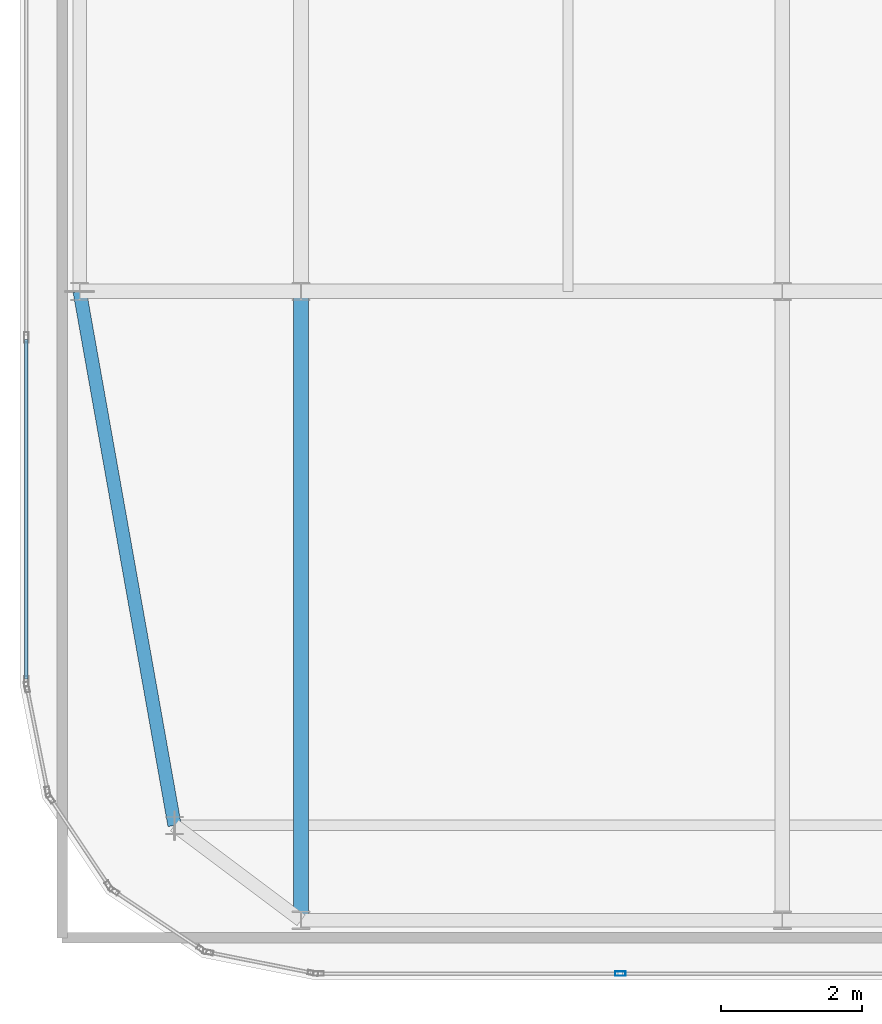
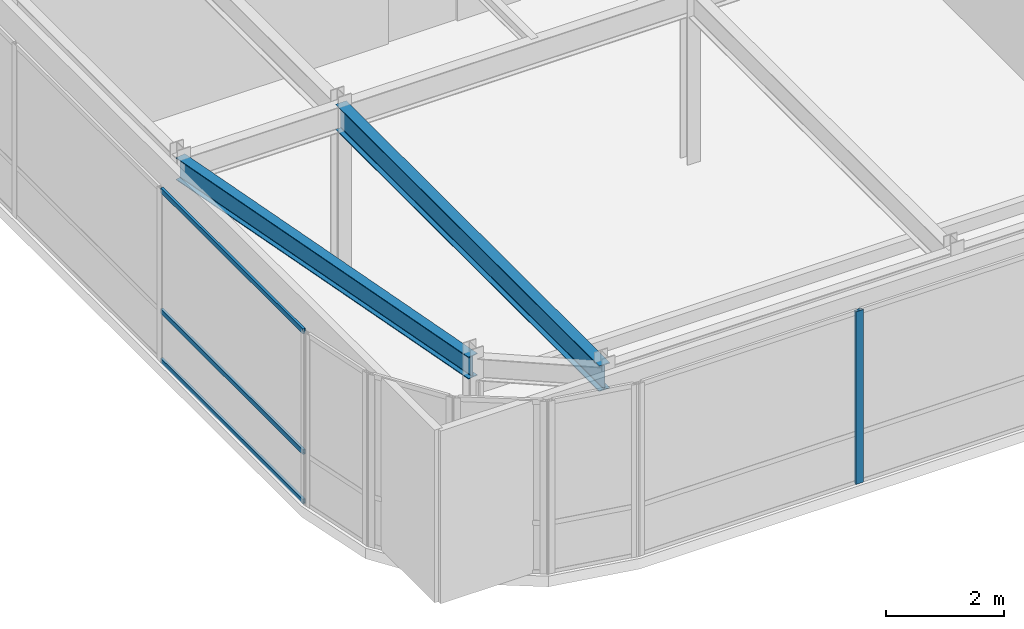
# One storey, part 6 of 36: 4 members, 2 beams, 2 elements without a shape of their own.
"""IFC4 building model written with IfcOpenShell, lengths in metres."""

from ifc_helpers import new_model, si_unit, direction, frame, origin, origin_2d, place, context, subcontext, project, spatial, hollow_rectangle, i_section, extrude, source, transform, mapped, material, layer, layer_set, material_profile, profile_set, type_object, type_shapes, element, aggregate, save


model = new_model("IFC4")

# Units and contexts
model_context = context("Model", 3, precision=1e-05, world=origin(), true_north=direction((0.0, 1.0)))
body_context = subcontext(model_context, "Body", "Model", "MODEL_VIEW")
ifc_project = project(units=[si_unit("LENGTHUNIT", "METRE"), si_unit("AREAUNIT", "SQUARE_METRE"), si_unit("VOLUMEUNIT", "CUBIC_METRE"), si_unit("PLANEANGLEUNIT", "RADIAN"), si_unit("MASSUNIT", "GRAM", prefix="KILO")], contexts=[model_context])

# Site, building, storey
site_placement = place(None, origin())
site = spatial("IfcSite", under=ifc_project, at=site_placement, CompositionType="ELEMENT")
building_placement = place(site_placement, origin())
building = spatial("IfcBuilding", under=site, at=building_placement, Name="Tolvann Quenvar Hotel", CompositionType="ELEMENT")
storey_placement = place(building_placement, frame((0.0, 0.0, 298.550048828125)))
storey = spatial("IfcBuildingStorey", under=building, at=storey_placement, Name="L79", CompositionType="ELEMENT", Elevation=298.550048828125)

# Beams
ifc_material_1 = material(Name="Steel Grade 350", Category="steel")
ifc_material_profile_1 = material_profile(ifc_material_1, i_section(OverallWidth=0.19091796875, OverallDepth=0.4599609375, WebThickness=0.010009765625, FlangeThickness=0.01611328125, FilletRadius=0.011474609375, at=origin_2d()), Name="460UB82")
ifc_profile_set_1 = profile_set([ifc_material_profile_1], Name="Steel Grade 350")
beam_type_1 = type_object("IfcBeamType", Name="BM_SPAND_460UB82", PredefinedType="SPANDREL", material=ifc_profile_set_1)
shared_shape_1 = source(origin(), body_context, "Body", "SweptSolid", [
    extrude(i_section(OverallWidth=0.19091796875, OverallDepth=0.4599609375, WebThickness=0.010009765625, FlangeThickness=0.01611328125, FilletRadius=0.011474609375, at=origin_2d()), origin(), (0.0, 0.0, 1.0), 7.718994140625),
])
type_shapes(beam_type_1, [shared_shape_1])
beam_1_placement = place(storey_placement, frame((5.800048828125, 8.39990234375, 3.349853515625), z_axis=(-0.174903883222, 0.984585512606, 0.0), x_axis=(-0.984585512606, -0.174903883222, 0.0)))
element("IfcBeam", 1, at=beam_1_placement, inside=storey, type_object=beam_type_1, Name="BM-L79-NS-B2-B4", PredefinedType="SPANDREL", context=body_context, shape_type="MappedRepresentation", body=[
    mapped(shared_shape_1, transform((0.0, 0.0, 0.0), x_axis=(1.0, 0.0, 0.0), y_axis=(0.0, 1.0, 0.0), z_axis=(0.0, 0.0, 1.0), scale=1.0)),
])
ifc_material_profile_2 = material_profile(ifc_material_1, i_section(OverallWidth=0.208984375, OverallDepth=0.532958984375, WebThickness=0.01025390625, FlangeThickness=0.015625, FilletRadius=0.013916015625, at=origin_2d()), Name="530UB92")
ifc_profile_set_2 = profile_set([ifc_material_profile_2], Name="Steel Grade 350")
beam_type_2 = type_object("IfcBeamType", Name="BM_GIRD_530UB92", PredefinedType="BEAM", material=ifc_profile_set_2)
shared_shape_2 = source(origin(), body_context, "Body", "SweptSolid", [
    extrude(i_section(OverallWidth=0.208984375, OverallDepth=0.532958984375, WebThickness=0.01025390625, FlangeThickness=0.015625, FilletRadius=0.013916015625, at=origin_2d()), origin(), (0.0, 0.0, 1.0), 8.949951171875),
])
type_shapes(beam_type_2, [shared_shape_2])
beam_2_placement = place(storey_placement, frame((7.60009765625, 7.050048828125, 3.3134765625), z_axis=(0.0, 1.0, 0.0), x_axis=(-1.0, 0.0, 0.0)))
element("IfcBeam", 2, at=beam_2_placement, inside=storey, type_object=beam_type_2, Name="BM-L79-NS-C2-C4", PredefinedType="BEAM", context=body_context, shape_type="MappedRepresentation", body=[
    mapped(shared_shape_2, transform((0.0, 0.0, 0.0), x_axis=(1.0, 0.0, 0.0), y_axis=(0.0, 1.0, 0.0), z_axis=(0.0, 0.0, 1.0), scale=1.0)),
])

# Curtain wall, members
ifc_material_2 = material(Name="Thermally broken anodised architectural aluminium 6063-T6 and laminated low-E glass", Category="aluminium")
ifc_layer = layer(ifc_material_2, 0.179931640625)
ifc_layer_set = layer_set([ifc_layer], Name="Thermally broken anodised architectural aluminium 6063-T6 and laminated low-E glass")
curtain_wall_type = type_object("IfcCurtainWallType", Name="CW_SYS_LANT_06", PredefinedType="USERDEFINED", material=ifc_layer_set)
curtain_wall_1_placement = place(storey_placement, origin())
curtain_wall_1 = element("IfcCurtainWall", 3, at=curtain_wall_1_placement, inside=storey, type_object=curtain_wall_type, Name="Curtain Wall CW-LANT-06 (CWR-L79-E19)", ObjectType="UNITISED CURTAIN WALL", PredefinedType="USERDEFINED")
ifc_material_3 = material(Name="Anodised architectural aluminium 6063-T6 framing", Category="aluminium")
ifc_material_profile_3 = material_profile(ifc_material_3, hollow_rectangle(XDim=0.050048828125, YDim=0.10009765625, WallThickness=0.0029296875, at=origin_2d()), Name="100x50x3RHS")
ifc_profile_set_3 = profile_set([ifc_material_profile_3], Name="Anodised architectural aluminium 6063-T6 framing")
member_type_1 = type_object("IfcMemberType", Name="CW_TRAN_100x50", PredefinedType="USERDEFINED", material=ifc_profile_set_3)
shared_shape_3 = source(origin(), body_context, "Body", "SweptSolid", [
    extrude(hollow_rectangle(XDim=0.050048828125, YDim=0.10009765625, WallThickness=0.0029296875, at=origin_2d()), origin(), (0.0, 0.0, 1.0), 4.830078125),
])
type_shapes(member_type_1, [shared_shape_3])
member_1_placement = place(storey_placement, frame((3.68994140625, 15.312255859375, 0.02490234375), z_axis=(0.0, -1.0, 0.0), x_axis=(1.0, 0.0, 0.0)))
member_1 = element("IfcMember", 4, at=member_1_placement, type_object=member_type_1, Name="CW-LANT-06 transom 6.1", ObjectType="TRANSOM", PredefinedType="USERDEFINED", context=body_context, shape_type="MappedRepresentation", body=[
    mapped(shared_shape_3, transform((0.0, 0.0, 0.0), x_axis=(1.0, 0.0, 0.0), y_axis=(0.0, 1.0, 0.0), z_axis=(0.0, 0.0, 1.0), scale=1.0)),
])
member_2_placement = place(storey_placement, frame((3.68994140625, 15.312255859375, 1.050048828125), z_axis=(0.0, -1.0, 0.0), x_axis=(1.0, 0.0, 0.0)))
member_2 = element("IfcMember", 5, at=member_2_placement, type_object=member_type_1, Name="CW-LANT-06 transom 6.2", ObjectType="TRANSOM", PredefinedType="USERDEFINED", context=body_context, shape_type="MappedRepresentation", body=[
    mapped(shared_shape_3, transform((0.0, 0.0, 0.0), x_axis=(1.0, 0.0, 0.0), y_axis=(0.0, 1.0, 0.0), z_axis=(0.0, 0.0, 1.0), scale=1.0)),
])
member_3_placement = place(storey_placement, frame((3.68994140625, 15.312255859375, 3.554931640625), z_axis=(0.0, -1.0, 0.0), x_axis=(1.0, 0.0, 0.0)))
member_3 = element("IfcMember", 6, at=member_3_placement, type_object=member_type_1, Name="CW-LANT-06 transom 6.3", ObjectType="TRANSOM", PredefinedType="USERDEFINED", context=body_context, shape_type="MappedRepresentation", body=[
    mapped(shared_shape_3, transform((0.0, 0.0, 0.0), x_axis=(1.0, 0.0, 0.0), y_axis=(0.0, 1.0, 0.0), z_axis=(0.0, 0.0, 1.0), scale=1.0)),
])
aggregate(curtain_wall_1, [member_1, member_2, member_3])

# Curtain wall, member
curtain_wall_2_placement = place(storey_placement, origin())
curtain_wall_2 = element("IfcCurtainWall", 7, at=curtain_wall_2_placement, inside=storey, type_object=curtain_wall_type, Name="Curtain Wall CW-LANT-06 (CWR-L79-E04)", ObjectType="UNITISED CURTAIN WALL", PredefinedType="USERDEFINED")
ifc_material_profile_4 = material_profile(ifc_material_3, hollow_rectangle(XDim=0.06494140625, YDim=0.14990234375, WallThickness=0.00390625, at=origin_2d()), Name="150x65x4RHS")
ifc_profile_set_4 = profile_set([ifc_material_profile_4], Name="Anodised architectural aluminium 6063-T6 framing")
member_type_2 = type_object("IfcMemberType", Name="CW_MULL_150x65", PredefinedType="MULLION", material=ifc_profile_set_4)
shared_shape_4 = source(origin(), body_context, "Body", "SweptSolid", [
    extrude(hollow_rectangle(XDim=0.06494140625, YDim=0.14990234375, WallThickness=0.00390625, at=origin_2d()), origin(), (0.0, 0.0, 1.0), 3.579833984375),
])
type_shapes(member_type_2, [shared_shape_4])
member_4_placement = place(storey_placement, frame((12.144775390625, 6.2900390625, 0.0), z_axis=(0.0, 0.0, 1.0), x_axis=(0.0, 1.0, 0.0)))
member_4 = element("IfcMember", 8, at=member_4_placement, type_object=member_type_2, Name="CW-LANT-06 mullion 2", PredefinedType="MULLION", context=body_context, shape_type="MappedRepresentation", body=[
    mapped(shared_shape_4, transform((0.0, 0.0, 0.0), x_axis=(1.0, 0.0, 0.0), y_axis=(0.0, 1.0, 0.0), z_axis=(0.0, 0.0, 1.0), scale=1.0)),
])
aggregate(curtain_wall_2, [member_4])

save(model, "model.ifc")
